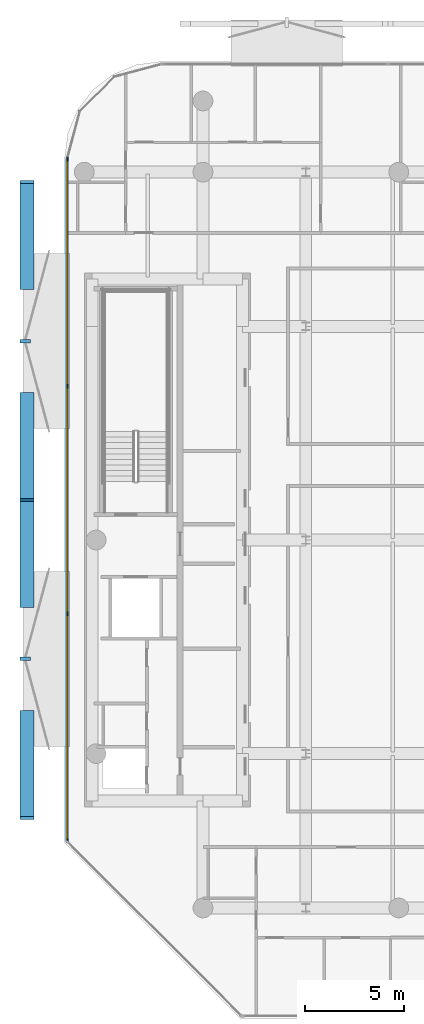
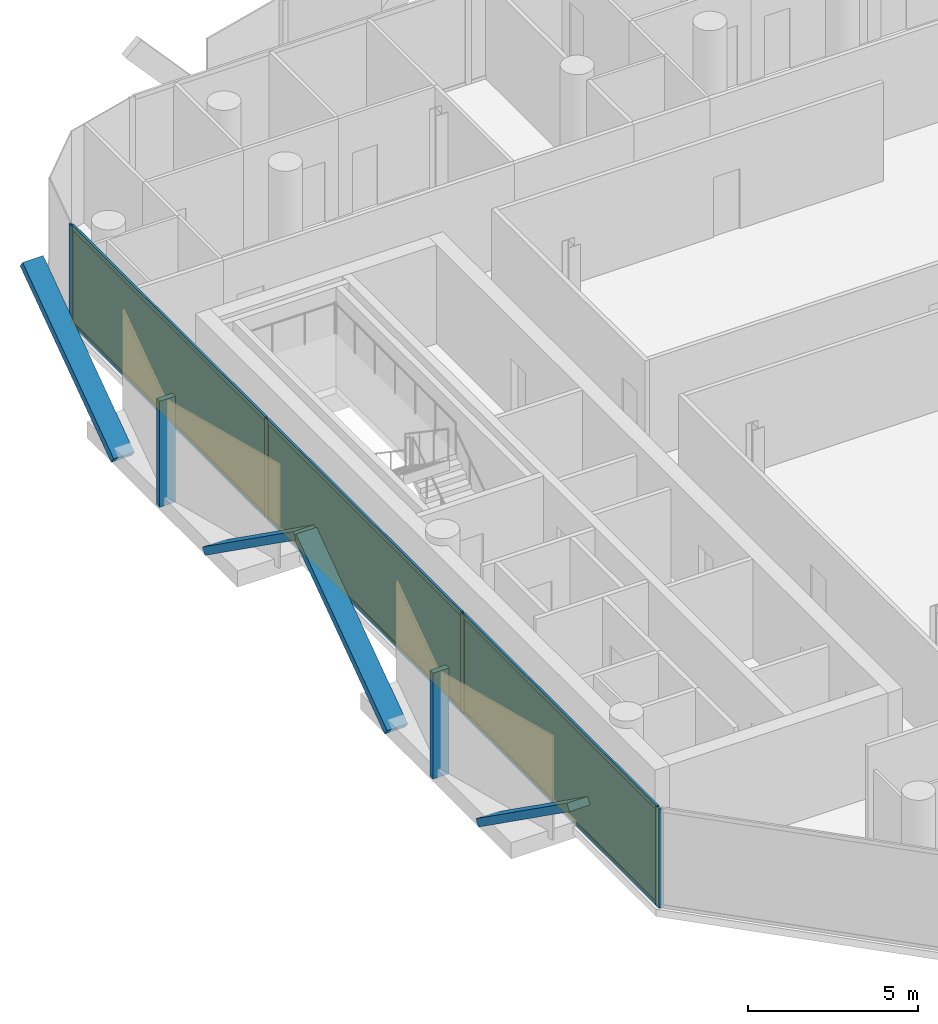
# One storey, part 10 of 17: 16 members, 3 plates, 1 curtain wall.
"""IFC4 building model written with IfcOpenShell, lengths in metres."""

from ifc_helpers import new_model, si_unit, direction, frame, frame_2d, origin, origin_2d, place, context, subcontext, project, spatial, rectangle, extrude, material, layer, layer_set, material_profile, profile_set, type_object, element, aggregate, save


model = new_model("IFC4")

# Units and contexts
model_context = context("Model", 3, precision=1e-05, world=origin(), true_north=direction((0.0, 1.0)))
body_context = subcontext(model_context, "Body", "Model", "MODEL_VIEW")
ifc_project = project(units=[si_unit("LENGTHUNIT", "METRE"), si_unit("AREAUNIT", "SQUARE_METRE"), si_unit("VOLUMEUNIT", "CUBIC_METRE"), si_unit("PLANEANGLEUNIT", "RADIAN"), si_unit("MASSUNIT", "GRAM", prefix="KILO")], contexts=[model_context])

# Member
ifc_material_1 = material(Name="Anodised Bronze Aluminium 6063-T6", Category="aluminium")
ifc_material_profile_1 = material_profile(ifc_material_1, rectangle(XDim=0.260009765625, YDim=0.699951171875, at=origin_2d()))
ifc_profile_set_1 = profile_set([ifc_material_profile_1], Name="Anodised Bronze Aluminium 6063-T6")
member_type_1 = type_object("IfcMemberType", Name="Bronze Diamond Solar-Screen Lattice Rib BDL-700", PredefinedType="MULLION", material=ifc_profile_set_1)
site_placement = place(None, origin())
building_placement = place(site_placement, origin())
storey_placement = place(building_placement, frame((0.0, 0.0, 308.0)))
member_1_placement = place(storey_placement, frame((-23.300048828125, -3.3310546875, -0.1298828125), z_axis=(0.0, 0.815568273997, 0.578660859614), x_axis=(0.0, -0.578660859614, 0.815568273997)))
member_1 = element("IfcMember", 1, at=member_1_placement, type_object=member_type_1, Name="L74 Bronze Diamond Solar Screen Lattice Rib 520A", PredefinedType="MULLION", context=body_context, shape_type="SweptSolid", body=[
    extrude(rectangle(XDim=0.260009765625, YDim=0.699951171875, at=origin_2d()), origin(), (0.0, 0.0, 1.0), 6.566650390625),
])

member_2_placement = place(storey_placement, frame((-23.300048828125, -8.6865234375, -0.1298828125), z_axis=(0.0, -0.815568273997, 0.578660859614), x_axis=(0.0, 0.578660859614, 0.815568273997)))
member_2 = element("IfcMember", 2, at=member_2_placement, type_object=member_type_1, Name="L74 Bronze Diamond Solar Screen Lattice Rib 520B", PredefinedType="MULLION", context=body_context, shape_type="SweptSolid", body=[
    extrude(rectangle(XDim=0.260009765625, YDim=0.699951171875, at=origin_2d()), origin(), (0.0, 0.0, 1.0), 6.566650390625),
])

member_3_placement = place(storey_placement, frame((-23.300048828125, 12.7353515625, -0.1298828125), z_axis=(0.0, 0.815568273997, 0.578660859614), x_axis=(0.0, -0.578660859614, 0.815568273997)))
member_3 = element("IfcMember", 3, at=member_3_placement, type_object=member_type_1, Name="L74 Bronze Diamond Solar Screen Lattice Rib 521A", PredefinedType="MULLION", context=body_context, shape_type="SweptSolid", body=[
    extrude(rectangle(XDim=0.260009765625, YDim=0.699951171875, at=origin_2d()), origin(), (0.0, 0.0, 1.0), 6.566650390625),
])

member_4_placement = place(storey_placement, frame((-23.300048828125, 7.3798828125, -0.1298828125), z_axis=(0.0, -0.815568273997, 0.578660859614), x_axis=(0.0, 0.578660859614, 0.815568273997)))
member_4 = element("IfcMember", 4, at=member_4_placement, type_object=member_type_1, Name="L74 Bronze Diamond Solar Screen Lattice Rib 521B", PredefinedType="MULLION", context=body_context, shape_type="SweptSolid", body=[
    extrude(rectangle(XDim=0.260009765625, YDim=0.699951171875, at=origin_2d()), origin(), (0.0, 0.0, 1.0), 6.566650390625),
])

ifc_material_2 = material(Name="Anodised Bronze Aluminium 6063-T6", Category="aluminium")
ifc_material_profile_2 = material_profile(ifc_material_2, rectangle(XDim=0.179931640625, YDim=0.5400390625, at=origin_2d()))
ifc_profile_set_2 = profile_set([ifc_material_profile_2], Name="Anodised Bronze Aluminium 6063-T6")
member_type_2 = type_object("IfcMemberType", Name="Bronze Solar-Screen Vertical Fold Fin BSF-540", PredefinedType="MULLION", material=ifc_profile_set_2)
member_5_placement = place(storey_placement, frame((-23.3798828125, -6.0087890625, -0.1298828125), z_axis=(0.0, 0.0, 1.0), x_axis=(0.0, 1.0, 0.0)))
member_5 = element("IfcMember", 5, at=member_5_placement, type_object=member_type_2, Name="L74 Bronze Solar Screen Vertical Fin 520", PredefinedType="MULLION", context=body_context, shape_type="SweptSolid", body=[
    extrude(rectangle(XDim=0.179931640625, YDim=0.5400390625, at=origin_2d()), origin(), (0.0, 0.0, 1.0), 3.7998046875),
])

member_6_placement = place(storey_placement, frame((-23.3798828125, 10.0576171875, -0.1298828125), z_axis=(0.0, 0.0, 1.0), x_axis=(0.0, 1.0, 0.0)))
member_6 = element("IfcMember", 6, at=member_6_placement, type_object=member_type_2, Name="L74 Bronze Solar Screen Vertical Fin 521", PredefinedType="MULLION", context=body_context, shape_type="SweptSolid", body=[
    extrude(rectangle(XDim=0.179931640625, YDim=0.5400390625, at=origin_2d()), origin(), (0.0, 0.0, 1.0), 3.7998046875),
])

ifc_material_3 = material(Name="Anodised Bronze Aluminium 6063-T6", Category="aluminium")
ifc_material_profile_3 = material_profile(ifc_material_3, rectangle(XDim=0.074951171875, YDim=0.2099609375, at=origin_2d()))
ifc_profile_set_3 = profile_set([ifc_material_profile_3], Name="Anodised Bronze Aluminium 6063-T6")
member_type_3 = type_object("IfcMemberType", Name="CW-CRN Mullion 75x210", PredefinedType="MULLION", material=ifc_profile_set_3)
member_7_placement = place(storey_placement, frame((-21.260009765625, -15.20458984375, 0.0), z_axis=(0.0, 0.0, 1.0), x_axis=(-1.0, 0.0, 0.0)))
member_7 = element("IfcMember", 7, at=member_7_placement, type_object=member_type_3, Name="CW-CRN mullion 1", PredefinedType="MULLION", context=body_context, shape_type="SweptSolid", body=[
    extrude(rectangle(XDim=0.074951171875, YDim=0.2099609375, at=origin_2d()), origin(), (0.0, 0.0, 1.0), 3.5400390625),
])

member_8_placement = place(storey_placement, frame((-21.260009765625, -3.73095703125, 0.0), z_axis=(0.0, 0.0, 1.0), x_axis=(-1.0, 0.0, 0.0)))
member_8 = element("IfcMember", 8, at=member_8_placement, type_object=member_type_3, Name="CW-CRN mullion 2", PredefinedType="MULLION", context=body_context, shape_type="SweptSolid", body=[
    extrude(rectangle(XDim=0.074951171875, YDim=0.2099609375, at=origin_2d()), origin(), (0.0, 0.0, 1.0), 3.5400390625),
])

member_9_placement = place(storey_placement, frame((-21.260009765625, 7.77978515625, 0.0), z_axis=(0.0, 0.0, 1.0), x_axis=(-1.0, 0.0, 0.0)))
member_9 = element("IfcMember", 9, at=member_9_placement, type_object=member_type_3, Name="CW-CRN mullion 3", PredefinedType="MULLION", context=body_context, shape_type="SweptSolid", body=[
    extrude(rectangle(XDim=0.074951171875, YDim=0.2099609375, at=origin_2d()), origin(), (0.0, 0.0, 1.0), 3.5400390625),
])

member_10_placement = place(storey_placement, frame((-21.260009765625, 19.25341796875, 0.0), z_axis=(0.0, 0.0, 1.0), x_axis=(-1.0, 0.0, 0.0)))
member_10 = element("IfcMember", 10, at=member_10_placement, type_object=member_type_3, Name="CW-CRN mullion 4", PredefinedType="MULLION", context=body_context, shape_type="SweptSolid", body=[
    extrude(rectangle(XDim=0.074951171875, YDim=0.2099609375, at=origin_2d()), origin(), (0.0, 0.0, 1.0), 3.5400390625),
])

ifc_material_4 = material(Name="Anodised Bronze Aluminium 6063-T6", Category="aluminium")
ifc_material_profile_4 = material_profile(ifc_material_4, rectangle(XDim=0.074951171875, YDim=0.1650390625, at=origin_2d()))
ifc_profile_set_4 = profile_set([ifc_material_profile_4], Name="Anodised Bronze Aluminium 6063-T6")
member_type_4 = type_object("IfcMemberType", Name="CW-CRN Transom 75x165", PredefinedType="USERDEFINED", material=ifc_profile_set_4)
member_11_placement = place(storey_placement, frame((-21.260009765625, -15.1669921875, 0.03759765625), z_axis=(0.0, 1.0, 0.0), x_axis=(-1.0, 0.0, 0.0)))
member_11 = element("IfcMember", 11, at=member_11_placement, type_object=member_type_4, Name="CW-CRN transom 1.1", ObjectType="TRANSOM", PredefinedType="USERDEFINED", context=body_context, shape_type="SweptSolid", body=[
    extrude(rectangle(XDim=0.074951171875, YDim=0.1650390625, at=origin_2d()), origin(), (0.0, 0.0, 1.0), 11.3984375),
])

member_12_placement = place(storey_placement, frame((-21.260009765625, -15.1669921875, 3.50244140625), z_axis=(0.0, 1.0, 0.0), x_axis=(-1.0, 0.0, 0.0)))
member_12 = element("IfcMember", 12, at=member_12_placement, type_object=member_type_4, Name="CW-CRN transom 1.2", ObjectType="TRANSOM", PredefinedType="USERDEFINED", context=body_context, shape_type="SweptSolid", body=[
    extrude(rectangle(XDim=0.074951171875, YDim=0.1650390625, at=origin_2d()), origin(), (0.0, 0.0, 1.0), 11.3984375),
])

member_13_placement = place(storey_placement, frame((-21.260009765625, -3.693603515625, 0.03759765625), z_axis=(0.0, 1.0, 0.0), x_axis=(-1.0, 0.0, 0.0)))
member_13 = element("IfcMember", 13, at=member_13_placement, type_object=member_type_4, Name="CW-CRN transom 2.1", ObjectType="TRANSOM", PredefinedType="USERDEFINED", context=body_context, shape_type="SweptSolid", body=[
    extrude(rectangle(XDim=0.074951171875, YDim=0.1650390625, at=origin_2d()), origin(), (0.0, 0.0, 1.0), 11.43603515625),
])

member_14_placement = place(storey_placement, frame((-21.260009765625, -3.693603515625, 3.50244140625), z_axis=(0.0, 1.0, 0.0), x_axis=(-1.0, 0.0, 0.0)))
member_14 = element("IfcMember", 14, at=member_14_placement, type_object=member_type_4, Name="CW-CRN transom 2.2", ObjectType="TRANSOM", PredefinedType="USERDEFINED", context=body_context, shape_type="SweptSolid", body=[
    extrude(rectangle(XDim=0.074951171875, YDim=0.1650390625, at=origin_2d()), origin(), (0.0, 0.0, 1.0), 11.43603515625),
])

member_15_placement = place(storey_placement, frame((-21.260009765625, 7.8173828125, 0.03759765625), z_axis=(0.0, 1.0, 0.0), x_axis=(-1.0, 0.0, 0.0)))
member_15 = element("IfcMember", 15, at=member_15_placement, type_object=member_type_4, Name="CW-CRN transom 3.1", ObjectType="TRANSOM", PredefinedType="USERDEFINED", context=body_context, shape_type="SweptSolid", body=[
    extrude(rectangle(XDim=0.074951171875, YDim=0.1650390625, at=origin_2d()), origin(), (0.0, 0.0, 1.0), 11.3984375),
])

member_16_placement = place(storey_placement, frame((-21.260009765625, 7.8173828125, 3.50244140625), z_axis=(0.0, 1.0, 0.0), x_axis=(-1.0, 0.0, 0.0)))
member_16 = element("IfcMember", 16, at=member_16_placement, type_object=member_type_4, Name="CW-CRN transom 3.2", ObjectType="TRANSOM", PredefinedType="USERDEFINED", context=body_context, shape_type="SweptSolid", body=[
    extrude(rectangle(XDim=0.074951171875, YDim=0.1650390625, at=origin_2d()), origin(), (0.0, 0.0, 1.0), 11.3984375),
])

# Plate
ifc_material_5 = material(Name="Low-E Solar Control Laminated Glass", Category="glass")
ifc_layer_1 = layer(ifc_material_5, 0.035888671875, Name="Low-E Solar Control Laminated Glass")
ifc_layer_set_1 = layer_set([ifc_layer_1], Name="Low-E Solar Control Laminated Glass")
plate_type = type_object("IfcPlateType", Name="CW-CRN Low-E Double Glazed Panel 36mm", PredefinedType="CURTAIN_PANEL", material=ifc_layer_set_1)
plate_1_placement = place(storey_placement, frame((-21.260009765625, -9.4677734375, 0.0751953125), z_axis=(0.0, 0.0, 1.0), x_axis=(0.0, 1.0, 0.0)))
plate_1 = element("IfcPlate", 17, at=plate_1_placement, type_object=plate_type, Name="CW-CRN panel 1.1", PredefinedType="CURTAIN_PANEL", context=body_context, shape_type="SweptSolid", body=[
    extrude(rectangle(XDim=11.3984375, YDim=0.035888671875, at=origin_2d()), origin(), (0.0, 0.0, 1.0), 3.389892578125),
])

plate_2_placement = place(storey_placement, frame((-21.260009765625, 2.0244140625, 0.0751953125), z_axis=(0.0, 0.0, 1.0), x_axis=(0.0, 1.0, 0.0)))
plate_2 = element("IfcPlate", 18, at=plate_2_placement, type_object=plate_type, Name="CW-CRN panel 2.1", PredefinedType="CURTAIN_PANEL", context=body_context, shape_type="SweptSolid", body=[
    extrude(rectangle(XDim=11.43603515625, YDim=0.035888671875, at=origin_2d()), origin(), (0.0, 0.0, 1.0), 3.389892578125),
])

plate_3_placement = place(storey_placement, frame((-21.260009765625, 13.5166015625, 0.0751953125), z_axis=(0.0, 0.0, 1.0), x_axis=(0.0, 1.0, 0.0)))
plate_3 = element("IfcPlate", 19, at=plate_3_placement, type_object=plate_type, Name="CW-CRN panel 3.1", PredefinedType="CURTAIN_PANEL", context=body_context, shape_type="SweptSolid", body=[
    extrude(rectangle(XDim=11.3984375, YDim=0.035888671875, at=origin_2d()), origin(), (0.0, 0.0, 1.0), 3.389892578125),
])

# Site, building, storey
site = spatial("IfcSite", under=ifc_project, at=site_placement, CompositionType="ELEMENT")
building = spatial("IfcBuilding", under=site, at=building_placement, Name="Khairoan Windgate Tower", CompositionType="ELEMENT")
storey = spatial("IfcBuildingStorey", under=building, at=storey_placement, Name="L74", CompositionType="ELEMENT", Elevation=308.0)

# Curtain wall
ifc_material_6 = material(Name="Anodised Bronze Aluminium 6063-T6", Category="aluminium")
ifc_layer_2 = layer(ifc_material_6, 0.2099609375, Name="Anodised Bronze Aluminium 6063-T6")
ifc_layer_set_2 = layer_set([ifc_layer_2], Name="Anodised Bronze Aluminium 6063-T6")
curtain_wall_type = type_object("IfcCurtainWallType", Name="Crown Observation and Vitrine Curtain Wall CW-CRN", PredefinedType="NOTDEFINED", material=ifc_layer_set_2)
curtain_wall_placement = place(storey_placement, frame((-21.260009765625, -15.241943359375, 0.0), z_axis=(0.0, 0.0, 1.0), x_axis=(0.0, 1.0, 0.0)))
curtain_wall = element("IfcCurtainWall", 20, at=curtain_wall_placement, inside=storey, type_object=curtain_wall_type, Name="L74 Unitised Curtain Wall 3", PredefinedType="NOTDEFINED", context=body_context, shape_type="SweptSolid", body=[
    extrude(rectangle(XDim=34.53271484375, YDim=0.010009765625, at=frame_2d((17.266357421875, 0.0))), origin(), (0.0, 0.0, 1.0), 3.5400390625),
])

aggregate(curtain_wall, [member_7, member_8, member_9, member_10, member_11, member_12, plate_1, member_13, member_14, plate_2, member_15, member_16, plate_3, member_1, member_2, member_5, member_3, member_4, member_6])

save(model, "model.ifc")
